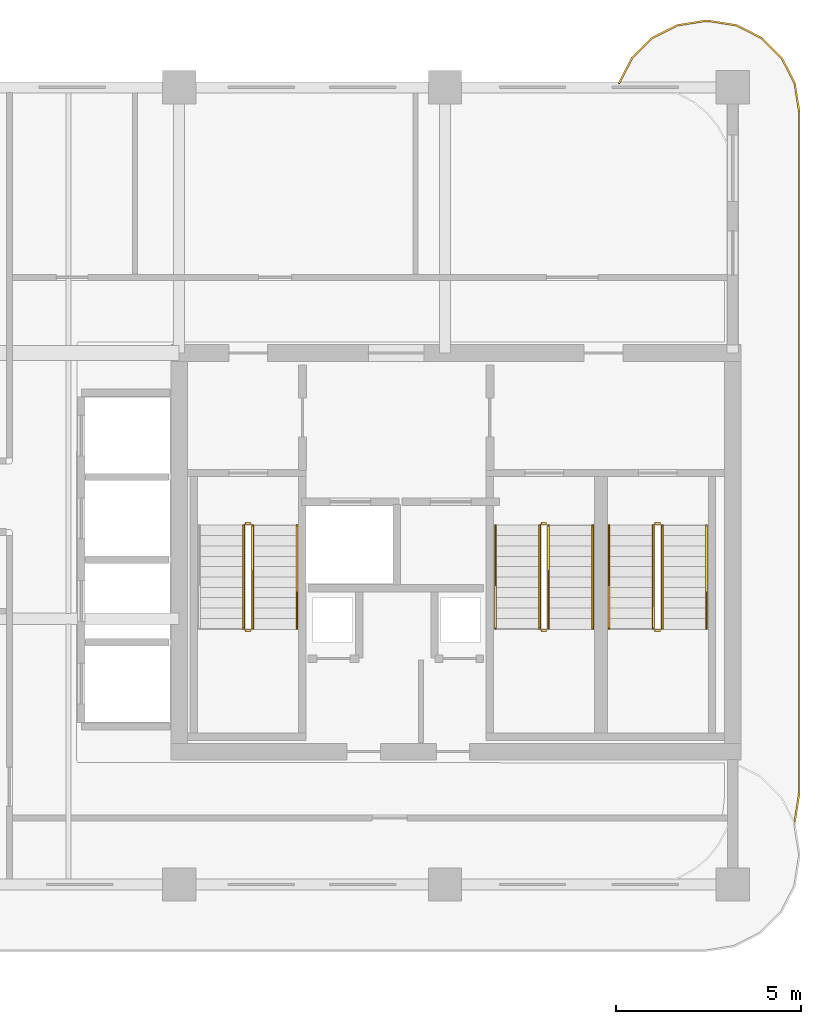
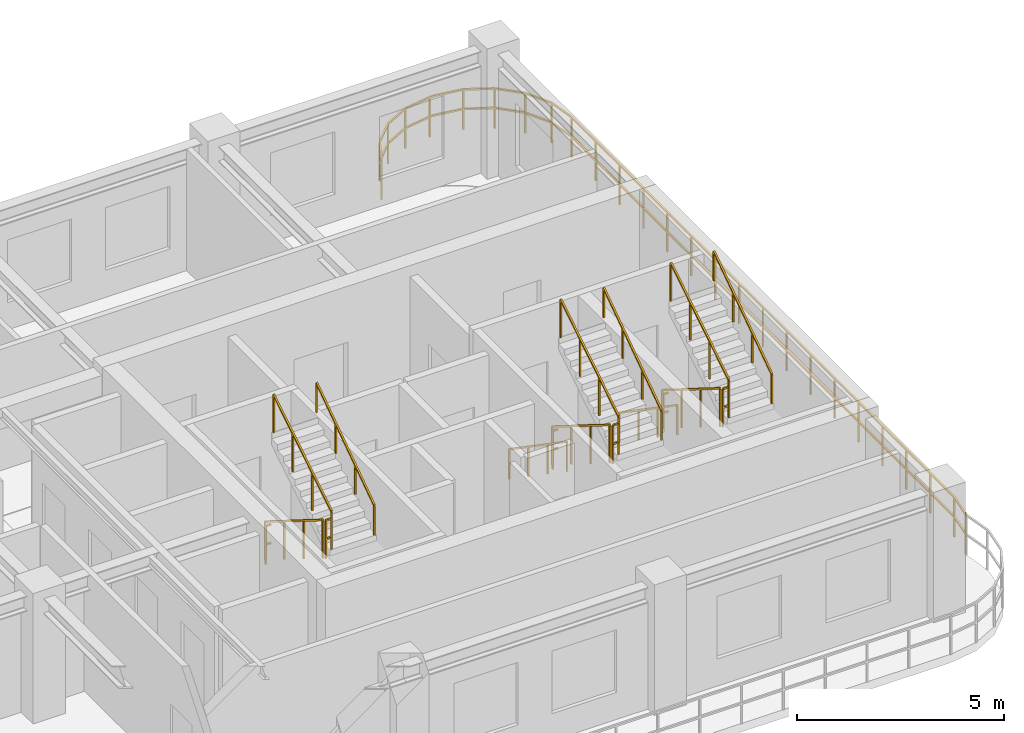
# One storey, part 7 of 7: 18 railings.
"""IFC4 building model written with IfcOpenShell, lengths in metres."""

from ifc_helpers import new_model, si_unit, derived_unit, direction, frame, origin, origin_2d, place, context, subcontext, project, spatial, rectangle, extrude, material, type_object, element, save


model = new_model("IFC4")

# Units and contexts
model_context = context("Model", 3, precision=1e-05, world=origin(), true_north=direction((0.0, 1.0)))
body_context = subcontext(model_context, "Body", "Model", "MODEL_VIEW")
ifc_project = project(units=[si_unit("LENGTHUNIT", "METRE"), si_unit("AREAUNIT", "SQUARE_METRE"), si_unit("VOLUMEUNIT", "CUBIC_METRE"), si_unit("PLANEANGLEUNIT", "RADIAN"), si_unit("MASSUNIT", "GRAM", prefix="KILO"), si_unit("THERMODYNAMICTEMPERATUREUNIT", "KELVIN"), si_unit("POWERUNIT", "WATT"), derived_unit("THERMALTRANSMITTANCEUNIT", [(si_unit("POWERUNIT", "WATT"), 1), (si_unit("AREAUNIT", "SQUARE_METRE"), -1), (si_unit("THERMODYNAMICTEMPERATUREUNIT", "KELVIN"), -1)])], contexts=[model_context])

# Site, building, storey
site_placement = place(None, origin())
site = spatial("IfcSite", under=ifc_project, at=site_placement, CompositionType="ELEMENT")
building_placement = place(site_placement, origin())
building = spatial("IfcBuilding", under=site, at=building_placement, Name="Zahravan Archway Hotel and Residences", CompositionType="ELEMENT")
storey_placement = place(building_placement, frame((0.0, 0.0, 244.25)))
storey = spatial("IfcBuildingStorey", under=building, at=storey_placement, Name="L61", CompositionType="ELEMENT", Elevation=244.25)

# Railings
ifc_material_1 = material(Name="Bronze & Laminated Glass Balustrade", Category="glass")
railing_type_1 = type_object("IfcRailingType", Name="RL-BAL-1200", PredefinedType="BALUSTRADE", material=ifc_material_1)
railing_1_placement = place(storey_placement, frame((46.719970703125, 21.70703125, 0.0)))
element("IfcRailing", 1, at=railing_1_placement, inside=storey, type_object=railing_type_1, Name="L61 Balustrade RL-SLB-BAL-L61-EA-1", PredefinedType="BALUSTRADE", context=body_context, shape_type="SweptSolid", body=[
    extrude(rectangle(XDim=0.048095703125, YDim=0.048095703125, at=origin_2d()), frame((0.0, 0.0, 1.17578125), z_axis=(0.453825591531, 0.891090529897, 0.0), x_axis=(-0.891090529897, 0.453825591531, 0.0)), (0.0, 0.0, 1.0), 0.7666015625),
    extrude(rectangle(XDim=0.048095703125, YDim=0.048095703125, at=origin_2d()), frame((0.0, 0.0, 0.60009765625), z_axis=(0.453825591531, 0.891090529897, 0.0), x_axis=(-0.891090529897, 0.453825591531, 0.0)), (0.0, 0.0, 1.0), 0.7666015625),
    extrude(rectangle(XDim=0.048095703125, YDim=0.048095703125, at=origin_2d()), frame((0.347900390625, 0.68310546875, 1.17578125), z_axis=(0.707106781187, 0.707106781187, 0.0), x_axis=(-0.707106781187, 0.707106781187, 0.0)), (0.0, 0.0, 1.0), 0.7666015625),
    extrude(rectangle(XDim=0.048095703125, YDim=0.048095703125, at=origin_2d()), frame((0.347900390625, 0.68310546875, 0.60009765625), z_axis=(0.707106781187, 0.707106781187, 0.0), x_axis=(-0.707106781187, 0.707106781187, 0.0)), (0.0, 0.0, 1.0), 0.7666015625),
    extrude(rectangle(XDim=0.048095703125, YDim=0.048095703125, at=origin_2d()), frame((0.889892578125, 1.22509765625, 1.17578125), z_axis=(0.891090529897, 0.453825591531, 0.0), x_axis=(-0.453825591531, 0.891090529897, 0.0)), (0.0, 0.0, 1.0), 0.7666015625),
    extrude(rectangle(XDim=0.048095703125, YDim=0.048095703125, at=origin_2d()), frame((0.889892578125, 1.22509765625, 0.60009765625), z_axis=(0.891090529897, 0.453825591531, 0.0), x_axis=(-0.453825591531, 0.891090529897, 0.0)), (0.0, 0.0, 1.0), 0.7666015625),
    extrude(rectangle(XDim=0.048095703125, YDim=0.048095703125, at=origin_2d()), frame((1.572998046875, 1.572998046875, 1.17578125), z_axis=(0.987695728695, 0.156387811283, 0.0), x_axis=(-0.156387811283, 0.987695728695, 0.0)), (0.0, 0.0, 1.0), 0.7666015625),
    extrude(rectangle(XDim=0.048095703125, YDim=0.048095703125, at=origin_2d()), frame((1.572998046875, 1.572998046875, 0.60009765625), z_axis=(0.987695728695, 0.156387811283, 0.0), x_axis=(-0.156387811283, 0.987695728695, 0.0)), (0.0, 0.0, 1.0), 0.7666015625),
    extrude(rectangle(XDim=0.048095703125, YDim=0.048095703125, at=origin_2d()), frame((2.330078125, 1.69287109375, 1.17578125), z_axis=(1.0, 0.0, 0.0), x_axis=(0.0, 1.0, 0.0)), (0.0, 0.0, 1.0), 0.099853515625),
    extrude(rectangle(XDim=0.048095703125, YDim=0.048095703125, at=origin_2d()), frame((2.330078125, 1.69287109375, 0.60009765625), z_axis=(1.0, 0.0, 0.0), x_axis=(0.0, 1.0, 0.0)), (0.0, 0.0, 1.0), 0.099853515625),
    extrude(rectangle(XDim=0.048095703125, YDim=0.048095703125, at=origin_2d()), frame((2.429931640625, 1.69287109375, 1.17578125), z_axis=(0.987695728695, -0.156387811283, 0.0), x_axis=(0.156387811283, 0.987695728695, 0.0)), (0.0, 0.0, 1.0), 0.7666015625),
    extrude(rectangle(XDim=0.048095703125, YDim=0.048095703125, at=origin_2d()), frame((2.429931640625, 1.69287109375, 0.60009765625), z_axis=(0.987695728695, -0.156387811283, 0.0), x_axis=(0.156387811283, 0.987695728695, 0.0)), (0.0, 0.0, 1.0), 0.7666015625),
    extrude(rectangle(XDim=0.048095703125, YDim=0.048095703125, at=origin_2d()), frame((3.18701171875, 1.572998046875, 1.17578125), z_axis=(0.891090529897, -0.453825591531, 0.0), x_axis=(0.453825591531, 0.891090529897, 0.0)), (0.0, 0.0, 1.0), 0.7666015625),
    extrude(rectangle(XDim=0.048095703125, YDim=0.048095703125, at=origin_2d()), frame((3.18701171875, 1.572998046875, 0.60009765625), z_axis=(0.891090529897, -0.453825591531, 0.0), x_axis=(0.453825591531, 0.891090529897, 0.0)), (0.0, 0.0, 1.0), 0.7666015625),
    extrude(rectangle(XDim=0.048095703125, YDim=0.048095703125, at=origin_2d()), frame((3.8701171875, 1.22509765625, 1.17578125), z_axis=(0.707106781187, -0.707106781187, 0.0), x_axis=(0.707106781187, 0.707106781187, 0.0)), (0.0, 0.0, 1.0), 0.7666015625),
    extrude(rectangle(XDim=0.048095703125, YDim=0.048095703125, at=origin_2d()), frame((3.8701171875, 1.22509765625, 0.60009765625), z_axis=(0.707106781187, -0.707106781187, 0.0), x_axis=(0.707106781187, 0.707106781187, 0.0)), (0.0, 0.0, 1.0), 0.7666015625),
    extrude(rectangle(XDim=0.048095703125, YDim=0.048095703125, at=origin_2d()), frame((4.412109375, 0.68310546875, 1.17578125), z_axis=(0.453825591531, -0.891090529897, 0.0), x_axis=(0.891090529897, 0.453825591531, 0.0)), (0.0, 0.0, 1.0), 0.7666015625),
    extrude(rectangle(XDim=0.048095703125, YDim=0.048095703125, at=origin_2d()), frame((4.412109375, 0.68310546875, 0.60009765625), z_axis=(0.453825591531, -0.891090529897, 0.0), x_axis=(0.891090529897, 0.453825591531, 0.0)), (0.0, 0.0, 1.0), 0.7666015625),
    extrude(rectangle(XDim=0.048095703125, YDim=0.048095703125, at=origin_2d()), frame((4.760009765625, 0.0, 1.17578125), z_axis=(0.156698507018, -0.987646484274, 0.0), x_axis=(0.987646484274, 0.156698507018, 0.0)), (0.0, 0.0, 1.0), 0.7666015625),
    extrude(rectangle(XDim=0.048095703125, YDim=0.048095703125, at=origin_2d()), frame((4.760009765625, 0.0, 0.60009765625), z_axis=(0.156698507018, -0.987646484274, 0.0), x_axis=(0.987646484274, 0.156698507018, 0.0)), (0.0, 0.0, 1.0), 0.7666015625),
    extrude(rectangle(XDim=0.048095703125, YDim=0.048095703125, at=origin_2d()), frame((4.880126953125, -0.757080078125, 1.17578125), z_axis=(0.0, -1.0, 0.0), x_axis=(1.0, 0.0, 0.0)), (0.0, 0.0, 1.0), 18.5),
    extrude(rectangle(XDim=0.048095703125, YDim=0.048095703125, at=origin_2d()), frame((4.880126953125, -0.757080078125, 0.60009765625), z_axis=(0.0, -1.0, 0.0), x_axis=(1.0, 0.0, 0.0)), (0.0, 0.0, 1.0), 18.5),
    extrude(rectangle(XDim=0.048095703125, YDim=0.048095703125, at=origin_2d()), frame((4.880126953125, -19.257080078125, 1.17578125), z_axis=(-0.156698507018, -0.987646484274, 0.0), x_axis=(0.987646484274, -0.156698507018, 0.0)), (0.0, 0.0, 1.0), 0.7666015625),
    extrude(rectangle(XDim=0.048095703125, YDim=0.048095703125, at=origin_2d()), frame((4.880126953125, -19.257080078125, 0.60009765625), z_axis=(-0.156698507018, -0.987646484274, 0.0), x_axis=(0.987646484274, -0.156698507018, 0.0)), (0.0, 0.0, 1.0), 0.7666015625),
    extrude(rectangle(XDim=0.0419921875, YDim=0.0419921875, at=origin_2d()), origin(), (0.0, 0.0, 1.0), 1.15185546875),
    extrude(rectangle(XDim=0.0419921875, YDim=0.0419921875, at=origin_2d()), frame((0.347900390625, 0.68310546875, 0.0)), (0.0, 0.0, 1.0), 1.15185546875),
    extrude(rectangle(XDim=0.0419921875, YDim=0.0419921875, at=origin_2d()), frame((0.889892578125, 1.22509765625, 0.0)), (0.0, 0.0, 1.0), 1.15185546875),
    extrude(rectangle(XDim=0.0419921875, YDim=0.0419921875, at=origin_2d()), frame((1.572998046875, 1.572998046875, 0.0)), (0.0, 0.0, 1.0), 1.15185546875),
    extrude(rectangle(XDim=0.0419921875, YDim=0.0419921875, at=origin_2d()), frame((2.330078125, 1.69287109375, 0.0)), (0.0, 0.0, 1.0), 1.15185546875),
    extrude(rectangle(XDim=0.0419921875, YDim=0.0419921875, at=origin_2d()), frame((3.18701171875, 1.572998046875, 0.0)), (0.0, 0.0, 1.0), 1.15185546875),
    extrude(rectangle(XDim=0.0419921875, YDim=0.0419921875, at=origin_2d()), frame((3.8701171875, 1.22509765625, 0.0)), (0.0, 0.0, 1.0), 1.15185546875),
    extrude(rectangle(XDim=0.0419921875, YDim=0.0419921875, at=origin_2d()), frame((4.412109375, 0.68310546875, 0.0)), (0.0, 0.0, 1.0), 1.15185546875),
    extrude(rectangle(XDim=0.0419921875, YDim=0.0419921875, at=origin_2d()), frame((4.760009765625, 0.0, 0.0)), (0.0, 0.0, 1.0), 1.15185546875),
    extrude(rectangle(XDim=0.0419921875, YDim=0.0419921875, at=origin_2d()), frame((4.880126953125, -0.757080078125, 0.0)), (0.0, 0.0, 1.0), 1.15185546875),
    extrude(rectangle(XDim=0.0419921875, YDim=0.0419921875, at=origin_2d()), frame((4.880126953125, -1.913330078125, 0.0)), (0.0, 0.0, 1.0), 1.15185546875),
    extrude(rectangle(XDim=0.0419921875, YDim=0.0419921875, at=origin_2d()), frame((4.880126953125, -3.069580078125, 0.0)), (0.0, 0.0, 1.0), 1.15185546875),
    extrude(rectangle(XDim=0.0419921875, YDim=0.0419921875, at=origin_2d()), frame((4.880126953125, -4.225830078125, 0.0)), (0.0, 0.0, 1.0), 1.15185546875),
    extrude(rectangle(XDim=0.0419921875, YDim=0.0419921875, at=origin_2d()), frame((4.880126953125, -5.382080078125, 0.0)), (0.0, 0.0, 1.0), 1.15185546875),
    extrude(rectangle(XDim=0.0419921875, YDim=0.0419921875, at=origin_2d()), frame((4.880126953125, -6.538330078125, 0.0)), (0.0, 0.0, 1.0), 1.15185546875),
    extrude(rectangle(XDim=0.0419921875, YDim=0.0419921875, at=origin_2d()), frame((4.880126953125, -7.694580078125, 0.0)), (0.0, 0.0, 1.0), 1.15185546875),
    extrude(rectangle(XDim=0.0419921875, YDim=0.0419921875, at=origin_2d()), frame((4.880126953125, -8.850830078125, 0.0)), (0.0, 0.0, 1.0), 1.15185546875),
    extrude(rectangle(XDim=0.0419921875, YDim=0.0419921875, at=origin_2d()), frame((4.880126953125, -10.007080078125, 0.0)), (0.0, 0.0, 1.0), 1.15185546875),
    extrude(rectangle(XDim=0.0419921875, YDim=0.0419921875, at=origin_2d()), frame((4.880126953125, -11.163330078125, 0.0)), (0.0, 0.0, 1.0), 1.15185546875),
    extrude(rectangle(XDim=0.0419921875, YDim=0.0419921875, at=origin_2d()), frame((4.880126953125, -12.319580078125, 0.0)), (0.0, 0.0, 1.0), 1.15185546875),
    extrude(rectangle(XDim=0.0419921875, YDim=0.0419921875, at=origin_2d()), frame((4.880126953125, -13.475830078125, 0.0)), (0.0, 0.0, 1.0), 1.15185546875),
    extrude(rectangle(XDim=0.0419921875, YDim=0.0419921875, at=origin_2d()), frame((4.880126953125, -14.632080078125, 0.0)), (0.0, 0.0, 1.0), 1.15185546875),
    extrude(rectangle(XDim=0.0419921875, YDim=0.0419921875, at=origin_2d()), frame((4.880126953125, -15.788330078125, 0.0)), (0.0, 0.0, 1.0), 1.15185546875),
    extrude(rectangle(XDim=0.0419921875, YDim=0.0419921875, at=origin_2d()), frame((4.880126953125, -16.944580078125, 0.0)), (0.0, 0.0, 1.0), 1.15185546875),
    extrude(rectangle(XDim=0.0419921875, YDim=0.0419921875, at=origin_2d()), frame((4.880126953125, -18.100830078125, 0.0)), (0.0, 0.0, 1.0), 1.15185546875),
    extrude(rectangle(XDim=0.0419921875, YDim=0.0419921875, at=origin_2d()), frame((4.880126953125, -19.257080078125, 0.0)), (0.0, 0.0, 1.0), 1.15185546875),
    extrude(rectangle(XDim=0.0419921875, YDim=0.0419921875, at=origin_2d()), frame((4.760009765625, -20.01416015625, 0.0)), (0.0, 0.0, 1.0), 1.15185546875),
])
ifc_material_2 = material(Name="Painted Tubular Steel", Category="steel")
railing_type_2 = type_object("IfcRailingType", Name="RL-STG-1150", PredefinedType="GUARDRAIL", material=ifc_material_2)
railing_2_placement = place(storey_placement, frame((36.550048828125, 9.72998046875, 0.175048828125)))
element("IfcRailing", 2, at=railing_2_placement, inside=storey, type_object=railing_type_2, Name="L61 ST-A1 stair guard 1", PredefinedType="GUARDRAIL", context=body_context, shape_type="SweptSolid", body=[
    extrude(rectangle(XDim=0.048095703125, YDim=0.048095703125, at=origin_2d()), frame((0.0, 0.0, 1.1259765625), z_axis=(0.0, -0.848002457836, 0.529992293815), x_axis=(1.0, 0.0, 0.0)), (0.0, 0.0, 1.0), 3.302001953125),
    extrude(rectangle(XDim=0.0419921875, YDim=0.0419921875, at=origin_2d()), origin(), (0.0, 0.0, 1.0), 1.101806640625),
    extrude(rectangle(XDim=0.0419921875, YDim=0.0419921875, at=origin_2d()), frame((0.0, -0.933349609375, 0.583251953125)), (0.0, 0.0, 1.0), 1.101806640625),
    extrude(rectangle(XDim=0.0419921875, YDim=0.0419921875, at=origin_2d()), frame((0.0, -1.86669921875, 1.166748046875)), (0.0, 0.0, 1.0), 1.101806640625),
    extrude(rectangle(XDim=0.0419921875, YDim=0.0419921875, at=origin_2d()), frame((0.0, -2.800048828125, 1.75)), (0.0, 0.0, 1.0), 1.101806640625),
])
railing_3_placement = place(storey_placement, frame((36.60009765625, 6.8798828125, 1.925048828125)))
element("IfcRailing", 3, at=railing_3_placement, inside=storey, type_object=railing_type_2, Name="L61 ST-A1 stair guard 2", PredefinedType="GUARDRAIL", context=body_context, shape_type="SweptSolid", body=[
    extrude(rectangle(XDim=0.048095703125, YDim=0.048095703125, at=origin_2d()), frame((0.0, 0.0, 1.1259765625), z_axis=(1.0, 0.0, 0.0), x_axis=(0.0, 1.0, 0.0)), (0.0, 0.0, 1.0), 0.139892578125),
    extrude(rectangle(XDim=0.048095703125, YDim=0.048095703125, at=origin_2d()), frame((0.0, 0.0, 0.574951171875), z_axis=(1.0, 0.0, 0.0), x_axis=(0.0, 1.0, 0.0)), (0.0, 0.0, 1.0), 0.139892578125),
    extrude(rectangle(XDim=0.0419921875, YDim=0.0419921875, at=origin_2d()), origin(), (0.0, 0.0, 1.0), 1.101806640625),
])
railing_4_placement = place(storey_placement, frame((36.7900390625, 6.929931640625, 2.10009765625)))
element("IfcRailing", 4, at=railing_4_placement, inside=storey, type_object=railing_type_2, Name="L61 ST-A1 stair guard 3", PredefinedType="GUARDRAIL", context=body_context, shape_type="SweptSolid", body=[
    extrude(rectangle(XDim=0.048095703125, YDim=0.048095703125, at=origin_2d()), frame((0.0, 0.0, 1.1259765625), z_axis=(0.0, 0.848002457836, 0.529992293815), x_axis=(-1.0, 0.0, 0.0)), (0.0, 0.0, 1.0), 3.302001953125),
    extrude(rectangle(XDim=0.0419921875, YDim=0.0419921875, at=origin_2d()), origin(), (0.0, 0.0, 1.0), 1.101806640625),
    extrude(rectangle(XDim=0.0419921875, YDim=0.0419921875, at=origin_2d()), frame((0.0, 0.933349609375, 0.583251953125)), (0.0, 0.0, 1.0), 1.101806640625),
    extrude(rectangle(XDim=0.0419921875, YDim=0.0419921875, at=origin_2d()), frame((0.0, 1.86669921875, 1.166748046875)), (0.0, 0.0, 1.0), 1.101806640625),
    extrude(rectangle(XDim=0.0419921875, YDim=0.0419921875, at=origin_2d()), frame((0.0, 2.800048828125, 1.75)), (0.0, 0.0, 1.0), 1.101806640625),
])
railing_5_placement = place(storey_placement, frame((36.60009765625, 9.780029296875, 0.0)))
element("IfcRailing", 5, at=railing_5_placement, inside=storey, type_object=railing_type_2, Name="L61 ST-A1 stair guard 4", PredefinedType="GUARDRAIL", context=body_context, shape_type="SweptSolid", body=[
    extrude(rectangle(XDim=0.048095703125, YDim=0.048095703125, at=origin_2d()), frame((0.0, 0.0, 1.1259765625), z_axis=(1.0, 0.0, 0.0), x_axis=(0.0, 1.0, 0.0)), (0.0, 0.0, 1.0), 0.139892578125),
    extrude(rectangle(XDim=0.048095703125, YDim=0.048095703125, at=origin_2d()), frame((0.0, 0.0, 0.574951171875), z_axis=(1.0, 0.0, 0.0), x_axis=(0.0, 1.0, 0.0)), (0.0, 0.0, 1.0), 0.139892578125),
    extrude(rectangle(XDim=0.0419921875, YDim=0.0419921875, at=origin_2d()), origin(), (0.0, 0.0, 1.0), 1.101806640625),
])
railing_6_placement = place(storey_placement, frame((44.570068359375, 9.72998046875, 0.175048828125)))
element("IfcRailing", 6, at=railing_6_placement, inside=storey, type_object=railing_type_2, Name="L61 ST-A2 stair guard 1", PredefinedType="GUARDRAIL", context=body_context, shape_type="SweptSolid", body=[
    extrude(rectangle(XDim=0.048095703125, YDim=0.048095703125, at=origin_2d()), frame((0.0, 0.0, 1.1259765625), z_axis=(0.0, -0.848002457836, 0.529992293815), x_axis=(1.0, 0.0, 0.0)), (0.0, 0.0, 1.0), 3.302001953125),
    extrude(rectangle(XDim=0.0419921875, YDim=0.0419921875, at=origin_2d()), origin(), (0.0, 0.0, 1.0), 1.101806640625),
    extrude(rectangle(XDim=0.0419921875, YDim=0.0419921875, at=origin_2d()), frame((0.0, -0.933349609375, 0.583251953125)), (0.0, 0.0, 1.0), 1.101806640625),
    extrude(rectangle(XDim=0.0419921875, YDim=0.0419921875, at=origin_2d()), frame((0.0, -1.86669921875, 1.166748046875)), (0.0, 0.0, 1.0), 1.101806640625),
    extrude(rectangle(XDim=0.0419921875, YDim=0.0419921875, at=origin_2d()), frame((0.0, -2.800048828125, 1.75)), (0.0, 0.0, 1.0), 1.101806640625),
])
railing_7_placement = place(storey_placement, frame((44.6201171875, 6.8798828125, 1.925048828125)))
element("IfcRailing", 7, at=railing_7_placement, inside=storey, type_object=railing_type_2, Name="L61 ST-A2 stair guard 2", PredefinedType="GUARDRAIL", context=body_context, shape_type="SweptSolid", body=[
    extrude(rectangle(XDim=0.048095703125, YDim=0.048095703125, at=origin_2d()), frame((0.0, 0.0, 1.1259765625), z_axis=(1.0, 0.0, 0.0), x_axis=(0.0, 1.0, 0.0)), (0.0, 0.0, 1.0), 0.139892578125),
    extrude(rectangle(XDim=0.048095703125, YDim=0.048095703125, at=origin_2d()), frame((0.0, 0.0, 0.574951171875), z_axis=(1.0, 0.0, 0.0), x_axis=(0.0, 1.0, 0.0)), (0.0, 0.0, 1.0), 0.139892578125),
    extrude(rectangle(XDim=0.0419921875, YDim=0.0419921875, at=origin_2d()), origin(), (0.0, 0.0, 1.0), 1.101806640625),
])
railing_8_placement = place(storey_placement, frame((44.81005859375, 6.929931640625, 2.10009765625)))
element("IfcRailing", 8, at=railing_8_placement, inside=storey, type_object=railing_type_2, Name="L61 ST-A2 stair guard 3", PredefinedType="GUARDRAIL", context=body_context, shape_type="SweptSolid", body=[
    extrude(rectangle(XDim=0.048095703125, YDim=0.048095703125, at=origin_2d()), frame((0.0, 0.0, 1.1259765625), z_axis=(0.0, 0.848002457836, 0.529992293815), x_axis=(-1.0, 0.0, 0.0)), (0.0, 0.0, 1.0), 3.302001953125),
    extrude(rectangle(XDim=0.0419921875, YDim=0.0419921875, at=origin_2d()), origin(), (0.0, 0.0, 1.0), 1.101806640625),
    extrude(rectangle(XDim=0.0419921875, YDim=0.0419921875, at=origin_2d()), frame((0.0, 0.933349609375, 0.583251953125)), (0.0, 0.0, 1.0), 1.101806640625),
    extrude(rectangle(XDim=0.0419921875, YDim=0.0419921875, at=origin_2d()), frame((0.0, 1.86669921875, 1.166748046875)), (0.0, 0.0, 1.0), 1.101806640625),
    extrude(rectangle(XDim=0.0419921875, YDim=0.0419921875, at=origin_2d()), frame((0.0, 2.800048828125, 1.75)), (0.0, 0.0, 1.0), 1.101806640625),
])
railing_9_placement = place(storey_placement, frame((44.6201171875, 9.780029296875, 0.0)))
element("IfcRailing", 9, at=railing_9_placement, inside=storey, type_object=railing_type_2, Name="L61 ST-A2 stair guard 4", PredefinedType="GUARDRAIL", context=body_context, shape_type="SweptSolid", body=[
    extrude(rectangle(XDim=0.048095703125, YDim=0.048095703125, at=origin_2d()), frame((0.0, 0.0, 1.1259765625), z_axis=(1.0, 0.0, 0.0), x_axis=(0.0, 1.0, 0.0)), (0.0, 0.0, 1.0), 0.139892578125),
    extrude(rectangle(XDim=0.048095703125, YDim=0.048095703125, at=origin_2d()), frame((0.0, 0.0, 0.574951171875), z_axis=(1.0, 0.0, 0.0), x_axis=(0.0, 1.0, 0.0)), (0.0, 0.0, 1.0), 0.139892578125),
    extrude(rectangle(XDim=0.0419921875, YDim=0.0419921875, at=origin_2d()), origin(), (0.0, 0.0, 1.0), 1.101806640625),
])
railing_10_placement = place(storey_placement, frame((47.64990234375, 9.72998046875, 0.175048828125)))
element("IfcRailing", 10, at=railing_10_placement, inside=storey, type_object=railing_type_2, Name="L61 ST-A3 stair guard 1", PredefinedType="GUARDRAIL", context=body_context, shape_type="SweptSolid", body=[
    extrude(rectangle(XDim=0.048095703125, YDim=0.048095703125, at=origin_2d()), frame((0.0, 0.0, 1.1259765625), z_axis=(0.0, -0.848002457836, 0.529992293815), x_axis=(1.0, 0.0, 0.0)), (0.0, 0.0, 1.0), 3.302001953125),
    extrude(rectangle(XDim=0.0419921875, YDim=0.0419921875, at=origin_2d()), origin(), (0.0, 0.0, 1.0), 1.101806640625),
    extrude(rectangle(XDim=0.0419921875, YDim=0.0419921875, at=origin_2d()), frame((0.0, -0.933349609375, 0.583251953125)), (0.0, 0.0, 1.0), 1.101806640625),
    extrude(rectangle(XDim=0.0419921875, YDim=0.0419921875, at=origin_2d()), frame((0.0, -1.86669921875, 1.166748046875)), (0.0, 0.0, 1.0), 1.101806640625),
    extrude(rectangle(XDim=0.0419921875, YDim=0.0419921875, at=origin_2d()), frame((0.0, -2.800048828125, 1.75)), (0.0, 0.0, 1.0), 1.101806640625),
])
railing_11_placement = place(storey_placement, frame((47.699951171875, 6.8798828125, 1.925048828125)))
element("IfcRailing", 11, at=railing_11_placement, inside=storey, type_object=railing_type_2, Name="L61 ST-A3 stair guard 2", PredefinedType="GUARDRAIL", context=body_context, shape_type="SweptSolid", body=[
    extrude(rectangle(XDim=0.048095703125, YDim=0.048095703125, at=origin_2d()), frame((0.0, 0.0, 1.1259765625), z_axis=(1.0, 0.0, 0.0), x_axis=(0.0, 1.0, 0.0)), (0.0, 0.0, 1.0), 0.14013671875),
    extrude(rectangle(XDim=0.048095703125, YDim=0.048095703125, at=origin_2d()), frame((0.0, 0.0, 0.574951171875), z_axis=(1.0, 0.0, 0.0), x_axis=(0.0, 1.0, 0.0)), (0.0, 0.0, 1.0), 0.14013671875),
    extrude(rectangle(XDim=0.0419921875, YDim=0.0419921875, at=origin_2d()), origin(), (0.0, 0.0, 1.0), 1.101806640625),
])
railing_12_placement = place(storey_placement, frame((47.889892578125, 6.929931640625, 2.10009765625)))
element("IfcRailing", 12, at=railing_12_placement, inside=storey, type_object=railing_type_2, Name="L61 ST-A3 stair guard 3", PredefinedType="GUARDRAIL", context=body_context, shape_type="SweptSolid", body=[
    extrude(rectangle(XDim=0.048095703125, YDim=0.048095703125, at=origin_2d()), frame((0.0, 0.0, 1.1259765625), z_axis=(0.0, 0.848002457836, 0.529992293815), x_axis=(-1.0, 0.0, 0.0)), (0.0, 0.0, 1.0), 3.302001953125),
    extrude(rectangle(XDim=0.0419921875, YDim=0.0419921875, at=origin_2d()), origin(), (0.0, 0.0, 1.0), 1.101806640625),
    extrude(rectangle(XDim=0.0419921875, YDim=0.0419921875, at=origin_2d()), frame((0.0, 0.933349609375, 0.583251953125)), (0.0, 0.0, 1.0), 1.101806640625),
    extrude(rectangle(XDim=0.0419921875, YDim=0.0419921875, at=origin_2d()), frame((0.0, 1.86669921875, 1.166748046875)), (0.0, 0.0, 1.0), 1.101806640625),
    extrude(rectangle(XDim=0.0419921875, YDim=0.0419921875, at=origin_2d()), frame((0.0, 2.800048828125, 1.75)), (0.0, 0.0, 1.0), 1.101806640625),
])
railing_13_placement = place(storey_placement, frame((47.699951171875, 9.780029296875, 0.0)))
element("IfcRailing", 13, at=railing_13_placement, inside=storey, type_object=railing_type_2, Name="L61 ST-A3 stair guard 4", PredefinedType="GUARDRAIL", context=body_context, shape_type="SweptSolid", body=[
    extrude(rectangle(XDim=0.048095703125, YDim=0.048095703125, at=origin_2d()), frame((0.0, 0.0, 1.1259765625), z_axis=(1.0, 0.0, 0.0), x_axis=(0.0, 1.0, 0.0)), (0.0, 0.0, 1.0), 0.14013671875),
    extrude(rectangle(XDim=0.048095703125, YDim=0.048095703125, at=origin_2d()), frame((0.0, 0.0, 0.574951171875), z_axis=(1.0, 0.0, 0.0), x_axis=(0.0, 1.0, 0.0)), (0.0, 0.0, 1.0), 0.14013671875),
    extrude(rectangle(XDim=0.0419921875, YDim=0.0419921875, at=origin_2d()), origin(), (0.0, 0.0, 1.0), 1.101806640625),
])
ifc_material_3 = material(Name="Brushed Stainless Steel", Category="steel")
railing_type_3 = type_object("IfcRailingType", Name="RL-STH-900", PredefinedType="HANDRAIL", material=ifc_material_3)
railing_14_placement = place(storey_placement, frame((37.989990234375, 6.929931640625, 2.10009765625)))
element("IfcRailing", 14, at=railing_14_placement, inside=storey, type_object=railing_type_3, Name="L61 ST-A1 stair handrail 2", PredefinedType="HANDRAIL", context=body_context, shape_type="SweptSolid", body=[
    extrude(rectangle(XDim=0.048095703125, YDim=0.048095703125, at=origin_2d()), frame((0.0, 0.0, 0.8759765625), z_axis=(0.0, 0.824073370198, 0.566483080534), x_axis=(-1.0, 0.0, 0.0)), (0.0, 0.0, 1.0), 3.397705078125),
    extrude(rectangle(XDim=0.0419921875, YDim=0.0419921875, at=origin_2d()), origin(), (0.0, 0.0, 1.0), 0.851806640625),
    extrude(rectangle(XDim=0.0419921875, YDim=0.0419921875, at=origin_2d()), frame((0.0, 0.933349609375, 0.6416015625)), (0.0, 0.0, 1.0), 0.851806640625),
    extrude(rectangle(XDim=0.0419921875, YDim=0.0419921875, at=origin_2d()), frame((0.0, 1.86669921875, 1.283203125)), (0.0, 0.0, 1.0), 0.851806640625),
    extrude(rectangle(XDim=0.0419921875, YDim=0.0419921875, at=origin_2d()), frame((0.0, 2.800048828125, 1.9248046875)), (0.0, 0.0, 1.0), 0.851806640625),
])
railing_15_placement = place(storey_placement, frame((43.3701171875, 9.72998046875, 0.175048828125)))
element("IfcRailing", 15, at=railing_15_placement, inside=storey, type_object=railing_type_3, Name="L61 ST-A2 stair handrail 1", PredefinedType="HANDRAIL", context=body_context, shape_type="SweptSolid", body=[
    extrude(rectangle(XDim=0.048095703125, YDim=0.048095703125, at=origin_2d()), frame((0.0, 0.0, 0.8759765625), z_axis=(0.0, -0.824039827795, 0.566531872191), x_axis=(1.0, 0.0, 0.0)), (0.0, 0.0, 1.0), 3.39794921875),
    extrude(rectangle(XDim=0.0419921875, YDim=0.0419921875, at=origin_2d()), origin(), (0.0, 0.0, 1.0), 0.851806640625),
    extrude(rectangle(XDim=0.0419921875, YDim=0.0419921875, at=origin_2d()), frame((0.0, -0.933349609375, 0.6416015625)), (0.0, 0.0, 1.0), 0.851806640625),
    extrude(rectangle(XDim=0.0419921875, YDim=0.0419921875, at=origin_2d()), frame((0.0, -1.86669921875, 1.283447265625)), (0.0, 0.0, 1.0), 0.851806640625),
    extrude(rectangle(XDim=0.0419921875, YDim=0.0419921875, at=origin_2d()), frame((0.0, -2.800048828125, 1.925048828125)), (0.0, 0.0, 1.0), 0.851806640625),
])
railing_16_placement = place(storey_placement, frame((46.010009765625, 6.929931640625, 2.10009765625)))
element("IfcRailing", 16, at=railing_16_placement, inside=storey, type_object=railing_type_3, Name="L61 ST-A2 stair handrail 2", PredefinedType="HANDRAIL", context=body_context, shape_type="SweptSolid", body=[
    extrude(rectangle(XDim=0.048095703125, YDim=0.048095703125, at=origin_2d()), frame((0.0, 0.0, 0.8759765625), z_axis=(0.0, 0.824073370198, 0.566483080534), x_axis=(-1.0, 0.0, 0.0)), (0.0, 0.0, 1.0), 3.397705078125),
    extrude(rectangle(XDim=0.0419921875, YDim=0.0419921875, at=origin_2d()), origin(), (0.0, 0.0, 1.0), 0.851806640625),
    extrude(rectangle(XDim=0.0419921875, YDim=0.0419921875, at=origin_2d()), frame((0.0, 0.933349609375, 0.6416015625)), (0.0, 0.0, 1.0), 0.851806640625),
    extrude(rectangle(XDim=0.0419921875, YDim=0.0419921875, at=origin_2d()), frame((0.0, 1.86669921875, 1.283203125)), (0.0, 0.0, 1.0), 0.851806640625),
    extrude(rectangle(XDim=0.0419921875, YDim=0.0419921875, at=origin_2d()), frame((0.0, 2.800048828125, 1.9248046875)), (0.0, 0.0, 1.0), 0.851806640625),
])
railing_17_placement = place(storey_placement, frame((46.449951171875, 9.72998046875, 0.175048828125)))
element("IfcRailing", 17, at=railing_17_placement, inside=storey, type_object=railing_type_3, Name="L61 ST-A3 stair handrail 1", PredefinedType="HANDRAIL", context=body_context, shape_type="SweptSolid", body=[
    extrude(rectangle(XDim=0.048095703125, YDim=0.048095703125, at=origin_2d()), frame((0.0, 0.0, 0.8759765625), z_axis=(0.0, -0.824039827795, 0.566531872191), x_axis=(1.0, 0.0, 0.0)), (0.0, 0.0, 1.0), 3.39794921875),
    extrude(rectangle(XDim=0.0419921875, YDim=0.0419921875, at=origin_2d()), origin(), (0.0, 0.0, 1.0), 0.851806640625),
    extrude(rectangle(XDim=0.0419921875, YDim=0.0419921875, at=origin_2d()), frame((0.0, -0.933349609375, 0.6416015625)), (0.0, 0.0, 1.0), 0.851806640625),
    extrude(rectangle(XDim=0.0419921875, YDim=0.0419921875, at=origin_2d()), frame((0.0, -1.86669921875, 1.283447265625)), (0.0, 0.0, 1.0), 0.851806640625),
    extrude(rectangle(XDim=0.0419921875, YDim=0.0419921875, at=origin_2d()), frame((0.0, -2.800048828125, 1.925048828125)), (0.0, 0.0, 1.0), 0.851806640625),
])
railing_18_placement = place(storey_placement, frame((49.090087890625, 6.929931640625, 2.10009765625)))
element("IfcRailing", 18, at=railing_18_placement, inside=storey, type_object=railing_type_3, Name="L61 ST-A3 stair handrail 2", PredefinedType="HANDRAIL", context=body_context, shape_type="SweptSolid", body=[
    extrude(rectangle(XDim=0.048095703125, YDim=0.048095703125, at=origin_2d()), frame((0.0, 0.0, 0.8759765625), z_axis=(0.0, 0.824073370198, 0.566483080534), x_axis=(-1.0, 0.0, 0.0)), (0.0, 0.0, 1.0), 3.397705078125),
    extrude(rectangle(XDim=0.0419921875, YDim=0.0419921875, at=origin_2d()), origin(), (0.0, 0.0, 1.0), 0.851806640625),
    extrude(rectangle(XDim=0.0419921875, YDim=0.0419921875, at=origin_2d()), frame((0.0, 0.933349609375, 0.6416015625)), (0.0, 0.0, 1.0), 0.851806640625),
    extrude(rectangle(XDim=0.0419921875, YDim=0.0419921875, at=origin_2d()), frame((0.0, 1.86669921875, 1.283203125)), (0.0, 0.0, 1.0), 0.851806640625),
    extrude(rectangle(XDim=0.0419921875, YDim=0.0419921875, at=origin_2d()), frame((0.0, 2.800048828125, 1.9248046875)), (0.0, 0.0, 1.0), 0.851806640625),
])

save(model, "model.ifc")
